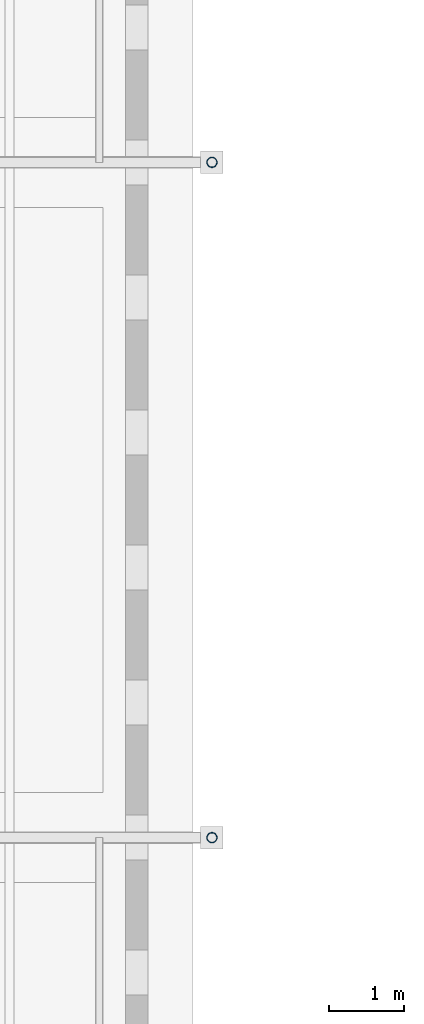
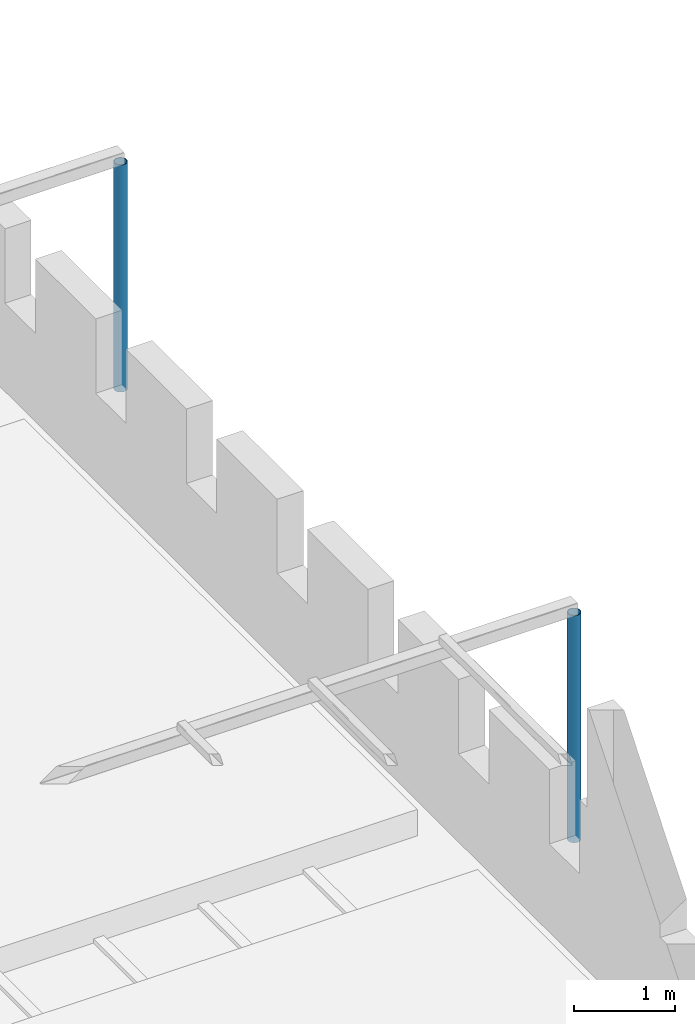
# One storey, part 5 of 37: 2 columns.
"""IFC4 building model written with IfcOpenShell, lengths in metres."""

from ifc_helpers import new_model, si_unit, direction, frame, origin, origin_2d, place, context, subcontext, project, spatial, hollow_circle, extrude, material, material_profile, profile_set, type_object, element, save


model = new_model("IFC4")

# Units and contexts
model_context = context("Model", 3, precision=1e-05, world=origin(), true_north=direction((0.0, 1.0)))
body_context = subcontext(model_context, "Body", "Model", "MODEL_VIEW")
ifc_project = project(units=[si_unit("LENGTHUNIT", "METRE"), si_unit("AREAUNIT", "SQUARE_METRE"), si_unit("VOLUMEUNIT", "CUBIC_METRE"), si_unit("PLANEANGLEUNIT", "RADIAN"), si_unit("MASSUNIT", "GRAM", prefix="KILO")], contexts=[model_context])

# Site, building, storey
site_placement = place(None, origin())
site = spatial("IfcSite", under=ifc_project, at=site_placement, CompositionType="ELEMENT")
building_placement = place(site_placement, origin())
building = spatial("IfcBuilding", under=site, at=building_placement, Name="Baradari Gate Terminus", CompositionType="ELEMENT")
storey_placement = place(building_placement, frame((0.0, 0.0, 24.300048828125)))
storey = spatial("IfcBuildingStorey", under=building, at=storey_placement, Name="L05", CompositionType="ELEMENT", Elevation=24.300048828125)

# Columns
ifc_material = material(Name="Steel S355", Category="steel")
ifc_material_profile = material_profile(ifc_material, hollow_circle(Radius=0.06982421875, WallThickness=0.008056640625, at=origin_2d()), Name="CHS 139.7x8")
ifc_profile_set = profile_set([ifc_material_profile], Name="Steel S355")
column_type = type_object("IfcColumnType", Name="Pergola post CHS 139.7x8", PredefinedType="COLUMN", material=ifc_profile_set)
for number, where, z_axis, x_axis, name in (
    (1, (90.0, 63.0, -0.150146484375), (0.0, 0.0, 1.0), (1.0, 0.0, 0.0), "RF/L05/PGG2-PGC3"),
    (2, (90.0, 72.0, -0.150146484375), (0.0, 0.0, 1.0), (1.0, 0.0, 0.0), "RF/L05/PGG3-PGC2"),
):
    element("IfcColumn", number, at=place(storey_placement, frame(where, z_axis=z_axis, x_axis=x_axis)), inside=storey, type_object=column_type, Name=name, PredefinedType="COLUMN", context=body_context, shape_type="SweptSolid", body=[
        extrude(hollow_circle(Radius=0.06982421875, WallThickness=0.008056640625, at=origin_2d()), origin(), (0.0, 0.0, 1.0), 2.75),
    ])

save(model, "model.ifc")
